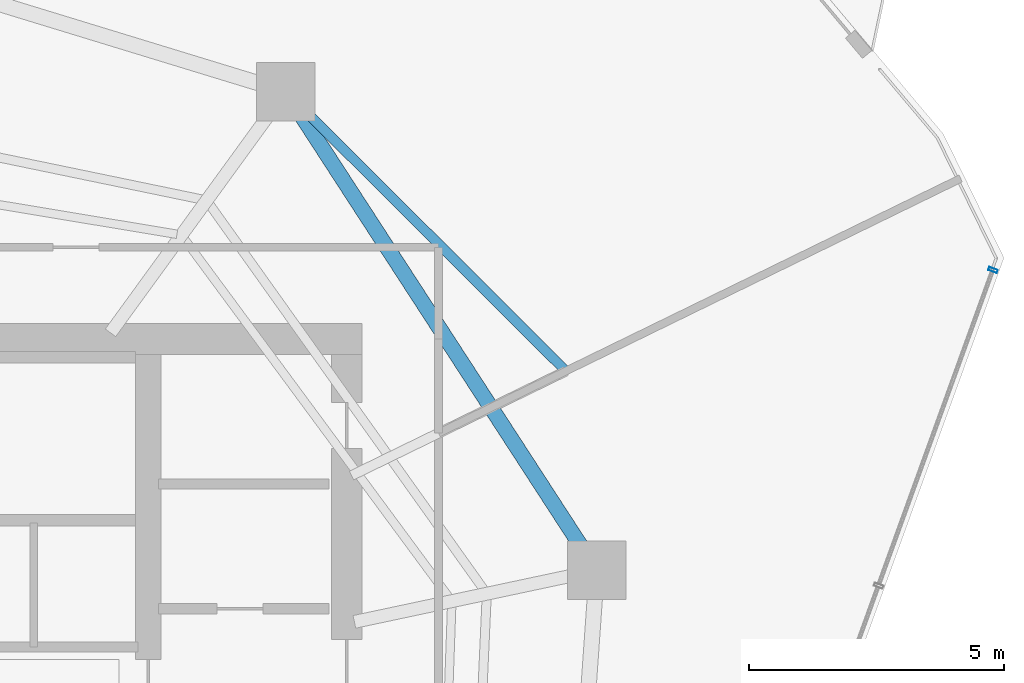
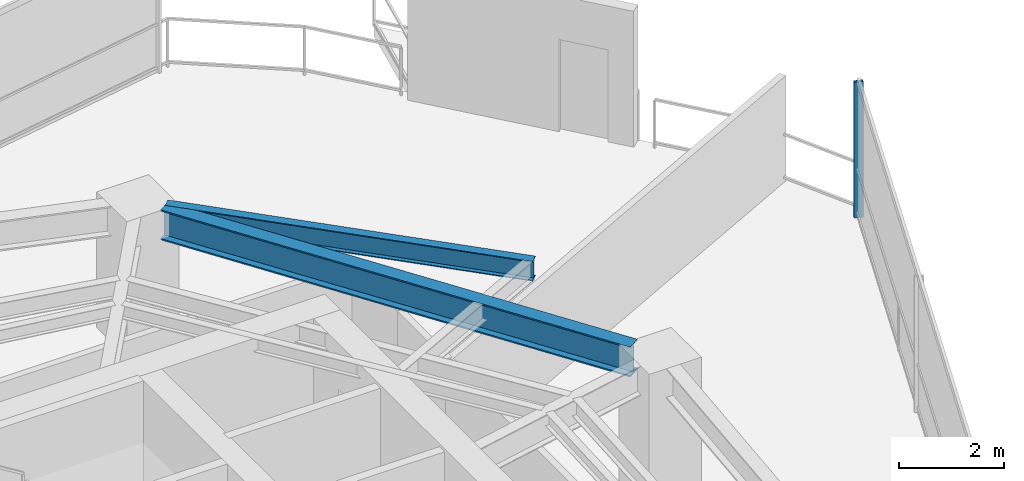
# One storey, part 21 of 27: 2 beams, 1 member, 1 element without a shape of its own.
"""IFC4 building model written with IfcOpenShell, lengths in metres."""

from ifc_helpers import new_model, si_unit, direction, frame, origin, origin_2d, place, context, subcontext, project, spatial, hollow_rectangle, i_section, extrude, material, layer, layer_set, material_profile, profile_set, type_object, element, aggregate, save


model = new_model("IFC4")

# Units and contexts
model_context = context("Model", 3, precision=1e-05, world=origin(), true_north=direction((0.0, 1.0)))
body_context = subcontext(model_context, "Body", "Model", "MODEL_VIEW")
ifc_project = project(units=[si_unit("LENGTHUNIT", "METRE"), si_unit("AREAUNIT", "SQUARE_METRE"), si_unit("VOLUMEUNIT", "CUBIC_METRE"), si_unit("PLANEANGLEUNIT", "RADIAN"), si_unit("MASSUNIT", "GRAM", prefix="KILO")], contexts=[model_context])

# Site, building, storey
site_placement = place(None, origin())
site = spatial("IfcSite", under=ifc_project, at=site_placement, CompositionType="ELEMENT")
building_placement = place(site_placement, origin())
building = spatial("IfcBuilding", under=site, at=building_placement, Name="Qarnah Convention Tower", CompositionType="ELEMENT")
storey_placement = place(building_placement, frame((0.0, 0.0, 103.949951171875)))
storey = spatial("IfcBuildingStorey", under=building, at=storey_placement, Name="L27", CompositionType="ELEMENT", Elevation=103.949951171875)

# Beams
ifc_material_1 = material(Name="Structural steel S355JR", Category="steel")
ifc_material_profile_1 = material_profile(ifc_material_1, i_section(OverallWidth=0.19189453125, OverallDepth=0.464111328125, WebThickness=0.010986328125, FlangeThickness=0.01806640625, at=origin_2d()), Name="W460X89")
ifc_profile_set_1 = profile_set([ifc_material_profile_1], Name="Structural steel S355JR")
beam_type_1 = type_object("IfcBeamType", Name="BM-CANT-W460A", PredefinedType="BEAM", material=ifc_profile_set_1)
beam_1_placement = place(storey_placement, frame((51.952880859375, 33.52099609375, 2.93798828125), z_axis=(-0.707978220507, 0.706234266577, 0.0), x_axis=(-0.706234266577, -0.707978220507, 0.0)))
element("IfcBeam", 1, at=beam_1_placement, inside=storey, type_object=beam_type_1, Name="L27 spandrel BM-L27-CTIE-01", PredefinedType="SPANDREL", context=body_context, shape_type="SweptSolid", body=[
    extrude(i_section(OverallWidth=0.19189453125, OverallDepth=0.464111328125, WebThickness=0.010986328125, FlangeThickness=0.01806640625, at=origin_2d()), origin(), (0.0, 0.0, 1.0), 7.279541015625),
])
ifc_material_profile_2 = material_profile(ifc_material_1, i_section(OverallWidth=0.300048828125, OverallDepth=0.699951171875, WebThickness=0.01708984375, FlangeThickness=0.031982421875, at=origin_2d()), Name="HEB700")
ifc_profile_set_2 = profile_set([ifc_material_profile_2], Name="Structural steel S355JR")
beam_type_2 = type_object("IfcBeamType", Name="BM-RING-HEB700", PredefinedType="BEAM", material=ifc_profile_set_2)
beam_2_placement = place(storey_placement, frame((52.199951171875, 30.1279296875, 2.820068359375), z_axis=(-0.544610528714, 0.838689079465, 0.0), x_axis=(-0.838689079465, -0.544610528714, 0.0)))
element("IfcBeam", 2, at=beam_2_placement, inside=storey, type_object=beam_type_2, Name="L27 beam BM-L27-SPN-01", PredefinedType="BEAM", context=body_context, shape_type="SweptSolid", body=[
    extrude(i_section(OverallWidth=0.300048828125, OverallDepth=0.699951171875, WebThickness=0.01708984375, FlangeThickness=0.031982421875, at=origin_2d()), origin(), (0.0, 0.0, 1.0), 10.0859375),
])

# Curtain wall, member
ifc_material_2 = material(Name="Tempered Low-E dark glass", Category="glass")
ifc_layer = layer(ifc_material_2, 0.169921875)
ifc_layer_set = layer_set([ifc_layer], Name="Tempered Low-E dark glass")
curtain_wall_type = type_object("IfcCurtainWallType", Name="CWS-02", PredefinedType="NOTDEFINED", material=ifc_layer_set)
curtain_wall_placement = place(storey_placement, origin())
curtain_wall = element("IfcCurtainWall", 3, at=curtain_wall_placement, inside=storey, type_object=curtain_wall_type, Name="L27 unitised curtain wall CW-L27-F2", PredefinedType="NOTDEFINED")
ifc_material_3 = material(Name="Black anodised aluminium", Category="aluminium")
ifc_material_profile_3 = material_profile(ifc_material_3, hollow_rectangle(XDim=0.06494140625, YDim=0.179931640625, WallThickness=0.00390625, at=origin_2d()), Name="MUL-65X180")
ifc_profile_set_3 = profile_set([ifc_material_profile_3], Name="Black anodised aluminium")
member_type = type_object("IfcMemberType", Name="MUL-T2", PredefinedType="MULLION", material=ifc_profile_set_3)
member_placement = place(storey_placement, frame((60.2939453125, 35.553955078125, 0.0), z_axis=(0.0, 0.0, 1.0), x_axis=(-0.340708211397, -0.940169088349, 0.0)))
member = element("IfcMember", 4, at=member_placement, type_object=member_type, Name="CW-L27-F2 mullion 1", PredefinedType="MULLION", context=body_context, shape_type="SweptSolid", body=[
    extrude(hollow_rectangle(XDim=0.06494140625, YDim=0.179931640625, WallThickness=0.00390625, at=origin_2d()), origin(), (0.0, 0.0, 1.0), 3.170166015625),
])
aggregate(curtain_wall, [member])

save(model, "model.ifc")
